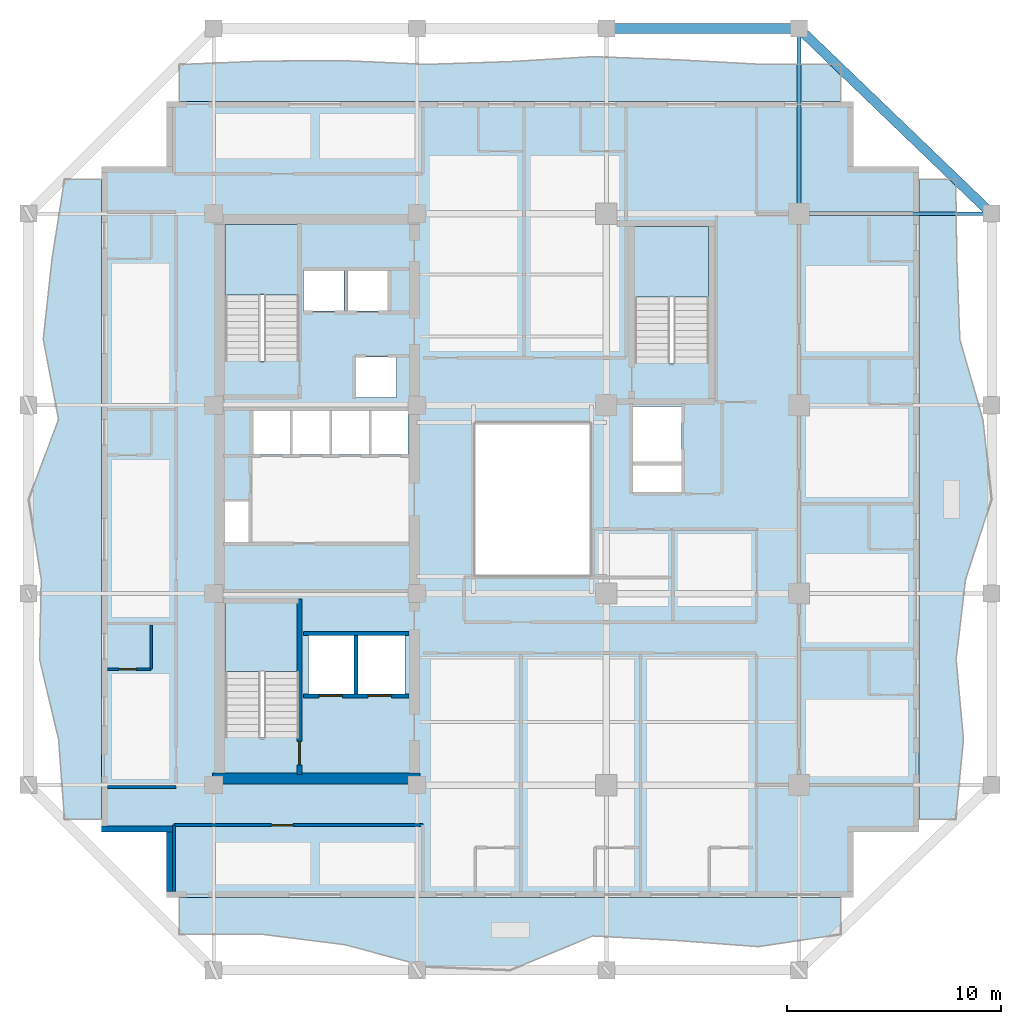
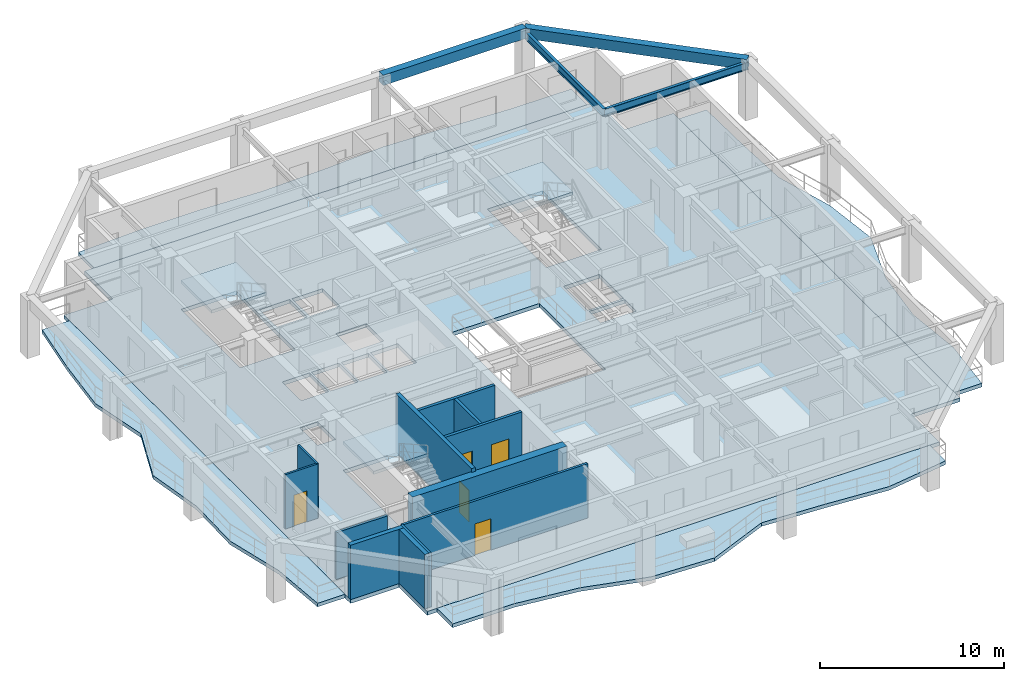
# One storey, part 2 of 11: 12 walls, 8 slabs, 5 doors, 4 beams, 5 openings, 3 elements without a shape of their own.
"""IFC4 building model written with IfcOpenShell, lengths in metres."""

from ifc_helpers import new_model, si_unit, direction, frame, frame_2d, origin, origin_2d, place, context, subcontext, project, spatial, polyline, rectangle, i_section, outline, extrude, material, layer, layer_set, material_profile, profile_set, type_object, element, fill, aggregate, save


model = new_model("IFC4")

# Units and contexts
model_context = context("Model", 3, precision=1e-05, world=origin(), true_north=direction((0.0, 1.0)))
body_context = subcontext(model_context, "Body", "Model", "MODEL_VIEW")
ifc_project = project(units=[si_unit("LENGTHUNIT", "METRE"), si_unit("AREAUNIT", "SQUARE_METRE"), si_unit("VOLUMEUNIT", "CUBIC_METRE"), si_unit("PLANEANGLEUNIT", "RADIAN"), si_unit("MASSUNIT", "GRAM", prefix="KILO")], contexts=[model_context])

# Site, building, storey
site_placement = place(None, origin())
site = spatial("IfcSite", under=ifc_project, at=site_placement, CompositionType="ELEMENT")
building_placement = place(site_placement, origin())
building = spatial("IfcBuilding", under=site, at=building_placement, Name="Kundavana Baori Tower", CompositionType="ELEMENT")
storey_placement = place(building_placement, frame((0.0, 0.0, 127.10009765625)))
storey = spatial("IfcBuildingStorey", under=building, at=storey_placement, Name="L30", CompositionType="ELEMENT", Elevation=127.10009765625)

# Beams
ifc_material_1 = material(Name="Concrete C50/60", Category="concrete")
ifc_material_profile_1 = material_profile(ifc_material_1, rectangle(XDim=0.449951171875, YDim=0.679931640625, at=origin_2d()), Name="RC BM 450x680")
ifc_profile_set_1 = profile_set([ifc_material_profile_1], Name="Concrete C50/60")
beam_type_1 = type_object("IfcBeamType", Name="BM-PF-680", PredefinedType="SPANDREL", material=ifc_profile_set_1)
beam_1_placement = place(storey_placement, frame((33.800048828125, 50.60009765625, 3.510009765625), z_axis=(1.0, 0.0, 0.0), x_axis=(0.0, 1.0, 0.0)))
element("IfcBeam", 1, at=beam_1_placement, inside=storey, type_object=beam_type_1, Name="L30 Perimeter Frame Ring Beam N3", PredefinedType="SPANDREL", context=body_context, shape_type="SweptSolid", body=[
    extrude(rectangle(XDim=0.449951171875, YDim=0.679931640625, at=origin_2d()), origin(), (0.0, 0.0, 1.0), 9.0),
])
beam_2_placement = place(storey_placement, frame((42.800048828125, 50.60009765625, 3.510009765625), z_axis=(0.720981122985, -0.692954702921, 0.0), x_axis=(0.692954702921, 0.720981122985, 0.0)))
element("IfcBeam", 2, at=beam_2_placement, inside=storey, type_object=beam_type_1, Name="L30 Notched Corner Perimeter Beam NE", PredefinedType="SPANDREL", context=body_context, shape_type="SweptSolid", body=[
    extrude(rectangle(XDim=0.449951171875, YDim=0.679931640625, at=origin_2d()), origin(), (0.0, 0.0, 1.0), 12.48291015625),
])
ifc_material_2 = material(Name="Structural Steel S355JR", Category="steel")
ifc_material_profile_2 = material_profile(ifc_material_2, i_section(OverallWidth=0.179931640625, OverallDepth=0.5, WebThickness=0.01025390625, FlangeThickness=0.01708984375, FilletRadius=0.01708984375, at=origin_2d()), Name="ISMB 500")
ifc_profile_set_2 = profile_set([ifc_material_profile_2], Name="Structural Steel S355JR")
beam_type_2 = type_object("IfcBeamType", Name="BM-TIE-500", PredefinedType="BEAM", material=ifc_profile_set_2)
beam_3_placement = place(storey_placement, frame((42.800048828125, 41.949951171875, 3.349853515625), z_axis=(0.0, 1.0, 0.0), x_axis=(-1.0, 0.0, 0.0)))
element("IfcBeam", 3, at=beam_3_placement, inside=storey, type_object=beam_type_2, Name="L30 North Radial Loggia Tie Beam N4", PredefinedType="BEAM", context=body_context, shape_type="SweptSolid", body=[
    extrude(i_section(OverallWidth=0.179931640625, OverallDepth=0.5, WebThickness=0.01025390625, FlangeThickness=0.01708984375, FilletRadius=0.01708984375, at=origin_2d()), origin(), (0.0, 0.0, 1.0), 8.650146484375),
])
beam_4_placement = place(storey_placement, frame((42.800048828125, 41.949951171875, 3.349853515625), z_axis=(1.0, 0.0, 0.0), x_axis=(0.0, 1.0, 0.0)))
element("IfcBeam", 4, at=beam_4_placement, inside=storey, type_object=beam_type_2, Name="L30 East Radial Loggia Tie Beam E4", PredefinedType="BEAM", context=body_context, shape_type="SweptSolid", body=[
    extrude(i_section(OverallWidth=0.179931640625, OverallDepth=0.5, WebThickness=0.01025390625, FlangeThickness=0.01708984375, FilletRadius=0.01708984375, at=origin_2d()), origin(), (0.0, 0.0, 1.0), 9.0),
])

# Slab
ifc_material_3 = material(Name="Concrete C40/50", Category="concrete")
ifc_layer_1 = layer(ifc_material_3, 0.25, Name="SLB-FLR-250")
ifc_layer_set_1 = layer_set([ifc_layer_1], Name="Concrete C40/50")
slab_type_1 = type_object("IfcSlabType", Name="SLB-FLR-250", PredefinedType="FLOOR", material=ifc_layer_set_1)
slab_1_placement = place(storey_placement, frame((0.0, 0.0, -0.25)))
element("IfcSlab", 5, at=slab_1_placement, inside=storey, type_object=slab_type_1, Name="L30 Structural Floor Slab", PredefinedType="FLOOR", context=body_context, shape_type="SweptSolid", body=[
    extrude(outline(polyline([(13.25, 10.0), (45.35009765625, 10.0), (45.35009765625, 13.050048828125), (48.39990234375, 13.050048828125), (48.39990234375, 44.14990234375), (45.35009765625, 44.14990234375), (45.35009765625, 47.199951171875), (13.25, 47.199951171875), (13.25, 44.14990234375), (10.199951171875, 44.14990234375), (10.199951171875, 13.050048828125), (13.25, 13.050048828125), (13.25, 10.0)]), holes=[polyline([(19.43994140625, 17.4619140625), (19.43994140625, 23.85009765625), (15.97998046875, 23.85009765625), (15.97998046875, 17.4619140625), (19.43994140625, 17.4619140625)]), polyline([(19.43994140625, 35.06201171875), (19.43994140625, 41.449951171875), (15.97998046875, 41.449951171875), (15.97998046875, 35.06201171875), (19.43994140625, 35.06201171875)]), polyline([(38.580078125, 34.9619140625), (38.580078125, 41.35009765625), (35.1201171875, 41.35009765625), (35.1201171875, 34.9619140625), (38.580078125, 34.9619140625)]), polyline([(17.300048828125, 30.699951171875), (19.02001953125, 30.699951171875), (19.02001953125, 32.75), (17.300048828125, 32.75), (17.300048828125, 30.699951171875)]), polyline([(19.139892578125, 30.699951171875), (20.860107421875, 30.699951171875), (20.860107421875, 32.75), (19.139892578125, 32.75), (19.139892578125, 30.699951171875)]), polyline([(20.97998046875, 30.699951171875), (22.699951171875, 30.699951171875), (22.699951171875, 32.75), (20.97998046875, 32.75), (20.97998046875, 30.699951171875)]), polyline([(22.820068359375, 30.699951171875), (24.5400390625, 30.699951171875), (24.5400390625, 32.75), (22.820068359375, 32.75), (22.820068359375, 30.699951171875)]), polyline([(19.64990234375, 37.39990234375), (21.550048828125, 37.39990234375), (21.550048828125, 39.300048828125), (19.64990234375, 39.300048828125), (19.64990234375, 37.39990234375)]), polyline([(21.699951171875, 37.39990234375), (23.60009765625, 37.39990234375), (23.60009765625, 39.300048828125), (21.699951171875, 39.300048828125), (21.699951171875, 37.39990234375)]), polyline([(22.10009765625, 33.35009765625), (24.0, 33.35009765625), (24.0, 35.25), (22.10009765625, 35.25), (22.10009765625, 33.35009765625)]), polyline([(19.8798828125, 19.5), (22.02001953125, 19.5), (22.02001953125, 22.25), (19.8798828125, 22.25), (19.8798828125, 19.5)]), polyline([(22.179931640625, 19.5), (24.3798828125, 19.5), (24.3798828125, 22.25), (22.179931640625, 22.25), (22.179931640625, 19.5)]), polyline([(35.050048828125, 30.35009765625), (37.300048828125, 30.35009765625), (37.300048828125, 32.949951171875), (35.050048828125, 32.949951171875), (35.050048828125, 30.35009765625)]), polyline([(15.949951171875, 26.60009765625), (17.080078125, 26.60009765625), (17.080078125, 28.5), (15.949951171875, 28.5), (15.949951171875, 26.60009765625)]), polyline([(35.050048828125, 28.949951171875), (37.300048828125, 28.949951171875), (37.300048828125, 30.199951171875), (35.050048828125, 30.199951171875), (35.050048828125, 28.949951171875)]), polyline([(27.60009765625, 25.0), (33.10009765625, 25.0), (33.10009765625, 32.199951171875), (27.60009765625, 32.199951171875), (27.60009765625, 25.0)])]), origin(), (0.0, 0.0, 1.0), 0.25),
])

# Stair, slab
ifc_material_4 = material(Name="Concrete C40/50", Category="concrete")
stair_type = type_object("IfcStairType", Name="STR-DOG-1650", PredefinedType="HALF_TURN_STAIR", material=ifc_material_4)
stair_1_placement = place(storey_placement, origin())
stair_1 = element("IfcStair", 6, at=stair_1_placement, inside=storey, type_object=stair_type, Name="L30 Protected Exit Stair ST1", PredefinedType="HALF_TURN_STAIR")
ifc_material_5 = material(Name="Concrete C40/50", Category="concrete")
ifc_layer_2 = layer(ifc_material_5, 0.199951171875, Name="SLB-LND-200")
ifc_layer_set_2 = layer_set([ifc_layer_2], Name="Concrete C40/50")
slab_type_2 = type_object("IfcSlabType", Name="SLB-LND-200", PredefinedType="LANDING", material=ifc_layer_set_2)
slab_2_placement = place(storey_placement, frame((0.0, 0.0, 1.724853515625)))
slab_2 = element("IfcSlab", 7, at=slab_2_placement, type_object=slab_type_2, Name="ST1 landing 1", PredefinedType="LANDING", context=body_context, shape_type="SweptSolid", body=[
    extrude(outline(polyline([(19.43994140625, 20.550048828125), (19.43994140625, 23.85009765625), (15.97998046875, 23.85009765625), (15.97998046875, 20.550048828125), (19.43994140625, 20.550048828125)])), origin(), (0.0, 0.0, 1.0), 0.199951171875),
])
aggregate(stair_1, [slab_2])

stair_2_placement = place(storey_placement, origin())
stair_2 = element("IfcStair", 8, at=stair_2_placement, inside=storey, type_object=stair_type, Name="L30 Protected Exit Stair ST2", PredefinedType="HALF_TURN_STAIR")
slab_3_placement = place(storey_placement, frame((0.0, 0.0, 1.724853515625)))
slab_3 = element("IfcSlab", 9, at=slab_3_placement, type_object=slab_type_2, Name="ST2 landing 1", PredefinedType="LANDING", context=body_context, shape_type="SweptSolid", body=[
    extrude(outline(polyline([(19.43994140625, 38.14990234375), (19.43994140625, 41.449951171875), (15.97998046875, 41.449951171875), (15.97998046875, 38.14990234375), (19.43994140625, 38.14990234375)])), origin(), (0.0, 0.0, 1.0), 0.199951171875),
])
aggregate(stair_2, [slab_3])

stair_3_placement = place(storey_placement, origin())
stair_3 = element("IfcStair", 10, at=stair_3_placement, inside=storey, type_object=stair_type, Name="L30 Protected Exit Stair ST3", PredefinedType="HALF_TURN_STAIR")
slab_4_placement = place(storey_placement, frame((0.0, 0.0, 1.724853515625)))
slab_4 = element("IfcSlab", 11, at=slab_4_placement, type_object=slab_type_2, Name="ST3 landing 1", PredefinedType="LANDING", context=body_context, shape_type="SweptSolid", body=[
    extrude(outline(polyline([(38.580078125, 38.050048828125), (38.580078125, 41.35009765625), (35.1201171875, 41.35009765625), (35.1201171875, 38.050048828125), (38.580078125, 38.050048828125)])), origin(), (0.0, 0.0, 1.0), 0.199951171875),
])
aggregate(stair_3, [slab_4])

# Slabs
ifc_material_6 = material(Name="Concrete C40/50", Category="concrete")
ifc_layer_3 = layer(ifc_material_6, 0.239990234375, Name="SLB-LOG-240")
ifc_layer_set_3 = layer_set([ifc_layer_3], Name="Concrete C40/50")
slab_type_3 = type_object("IfcSlabType", Name="SLB-LOG-240", PredefinedType="FLOOR", material=ifc_layer_set_3)
slab_5_placement = place(storey_placement, frame((0.0, 0.0, -0.239990234375)))
element("IfcSlab", 12, at=slab_5_placement, inside=storey, type_object=slab_type_3, Name="L30 Planted Loggia Balcony Slab S", PredefinedType="FLOOR", context=body_context, shape_type="SweptSolid", body=[
    extrude(outline(polyline([(13.85009765625, 10.0), (44.75, 10.0), (44.75, 8.280029296875), (40.886962890625, 7.699951171875), (37.02490234375, 7.993896484375), (33.1630859375, 8.200927734375), (29.300048828125, 6.60009765625), (25.43798828125, 6.757080078125), (21.574951171875, 7.7939453125), (17.7119140625, 8.279052734375), (13.85009765625, 8.280029296875), (13.85009765625, 10.0)])), origin(), (0.0, 0.0, 1.0), 0.239990234375),
])
slab_6_placement = place(storey_placement, frame((0.0, 0.0, -0.239990234375)))
element("IfcSlab", 13, at=slab_6_placement, inside=storey, type_object=slab_type_3, Name="L30 Planted Loggia Balcony Slab E", PredefinedType="FLOOR", context=body_context, shape_type="SweptSolid", body=[
    extrude(outline(polyline([(48.39990234375, 13.64990234375), (48.39990234375, 43.550048828125), (50.1201171875, 43.550048828125), (50.176025390625, 39.81201171875), (50.31494140625, 36.074951171875), (51.39306640625, 32.3369140625), (51.800048828125, 28.60009765625), (50.58203125, 24.862060546875), (50.14306640625, 21.125), (50.486083984375, 17.386962890625), (50.1201171875, 13.64990234375), (48.39990234375, 13.64990234375)])), origin(), (0.0, 0.0, 1.0), 0.239990234375),
])
slab_7_placement = place(storey_placement, frame((0.0, 0.0, -0.239990234375)))
element("IfcSlab", 14, at=slab_7_placement, inside=storey, type_object=slab_type_3, Name="L30 Planted Loggia Balcony Slab N", PredefinedType="FLOOR", context=body_context, shape_type="SweptSolid", body=[
    extrude(outline(polyline([(44.75, 47.199951171875), (13.85009765625, 47.199951171875), (13.85009765625, 48.919921875), (17.7119140625, 49.080078125), (21.574951171875, 49.094970703125), (25.43798828125, 48.927001953125), (29.300048828125, 49.054931640625), (33.1630859375, 49.2880859375), (37.02490234375, 49.14599609375), (40.886962890625, 48.93603515625), (44.75, 48.919921875), (44.75, 47.199951171875)])), origin(), (0.0, 0.0, 1.0), 0.239990234375),
])
slab_8_placement = place(storey_placement, frame((0.0, 0.0, -0.239990234375)))
element("IfcSlab", 15, at=slab_8_placement, inside=storey, type_object=slab_type_3, Name="L30 Planted Loggia Balcony Slab W", PredefinedType="FLOOR", context=body_context, shape_type="SweptSolid", body=[
    extrude(outline(polyline([(10.199951171875, 43.550048828125), (10.199951171875, 13.64990234375), (8.47998046875, 13.64990234375), (8.202880859375, 17.386962890625), (7.31494140625, 21.125), (7.389892578125, 24.862060546875), (6.800048828125, 28.60009765625), (8.200927734375, 32.3369140625), (7.487060546875, 36.074951171875), (7.89306640625, 39.81201171875), (8.47998046875, 43.550048828125), (10.199951171875, 43.550048828125)])), origin(), (0.0, 0.0, 1.0), 0.239990234375),
])

# Wall, opening, door
ifc_material_7 = material(Name="Concrete C50/60", Category="concrete")
ifc_layer_4 = layer(ifc_material_7, 0.39990234375, Name="WL-CORE-400")
ifc_layer_set_4 = layer_set([ifc_layer_4], Name="Concrete C50/60")
wall_type_1 = type_object("IfcWallType", Name="WL-CORE-400", PredefinedType="SHEAR", material=ifc_layer_set_4)
wall_1_placement = place(storey_placement, frame((19.4599609375, 15.739990234375, 0.0), z_axis=(0.0, 0.0, 1.0), x_axis=(0.0, 1.0, 0.0)))
wall_1 = element("IfcWall", 16, at=wall_1_placement, inside=storey, type_object=wall_type_1, Name="WL-L30-ST1-E", PredefinedType="SHEAR", context=body_context, shape_type="SweptSolid", body=[
    extrude(rectangle(XDim=8.199951171875, YDim=0.239990234375, at=frame_2d((4.10009765625, 0.0))), origin(), (0.0, 0.0, 1.0), 3.849853515625),
])
opening_1_placement = place(wall_1_placement, frame((0.449951171875, 0.0, 0.0)))
opening_1 = element("IfcOpeningElement", 17, at=opening_1_placement, cuts=wall_1, Name="Opening FD-110", PredefinedType="OPENING", context=body_context, shape_type="SweptSolid", body=[
    extrude(rectangle(XDim=1.10009765625, YDim=2.10009765625, at=frame_2d((0.550048828125, 1.050048828125))), frame((0.0, 0.1298828125, 0.0), z_axis=(0.0, -1.0, 0.0), x_axis=(1.0, 0.0, 0.0)), (0.0, 0.0, 1.0), 0.260009765625),
])
ifc_material_8 = material(Name="Galvanised Steel Fire-Rated Door Leaf", Category="steel")
door_type_1 = type_object("IfcDoorType", Name="DR-FD120-1100", OperationType="NOTDEFINED", PredefinedType="DOOR", material=ifc_material_8)
door_1_placement = place(opening_1_placement, origin())
door_1 = element("IfcDoor", 18, at=door_1_placement, inside=storey, type_object=door_type_1, Name="DR-L30-ST1", OperationType="SINGLE_SWING_LEFT", OverallHeight=2.10009765625, OverallWidth=1.10009765625, PredefinedType="DOOR", context=body_context, shape_type="SweptSolid", body=[
    extrude(rectangle(XDim=1.10009765625, YDim=2.10009765625, at=frame_2d((0.550048828125, 1.050048828125))), frame((0.0, 0.02490234375, 0.0), z_axis=(0.0, -1.0, 0.0), x_axis=(1.0, 0.0, 0.0)), (0.0, 0.0, 1.0), 0.050048828125),
])
fill(opening_1, door_1)

# Walls
ifc_material_9 = material(Name="Concrete C50/60", Category="concrete")
ifc_layer_5 = layer(ifc_material_9, 0.5, Name="WL-CORE-500")
ifc_layer_set_5 = layer_set([ifc_layer_5], Name="Concrete C50/60")
wall_type_2 = type_object("IfcWallType", Name="WL-CORE-500", PredefinedType="SHEAR", material=ifc_layer_set_5)
wall_2_placement = place(storey_placement, frame((15.39990234375, 15.56005859375, 0.0), z_axis=(0.0, 0.0, 1.0), x_axis=(1.0, 0.0, 0.0)))
element("IfcWall", 19, at=wall_2_placement, inside=storey, type_object=wall_type_2, Name="L30 Offset Core South Shear Wall", PredefinedType="SHEAR", context=body_context, shape_type="SweptSolid", body=[
    extrude(rectangle(XDim=9.68017578125, YDim=0.5, at=frame_2d((4.840087890625, 0.0))), origin(), (0.0, 0.0, 1.0), 3.599853515625),
])
ifc_material_10 = material(Name="Red-Buff Dholpur Sandstone Cladding on Concrete C40/50", Category="masonry")
ifc_layer_6 = layer(ifc_material_10, 0.280029296875, Name="WL-EXT-SAND-280")
ifc_layer_set_6 = layer_set([ifc_layer_6], Name="Red-Buff Dholpur Sandstone Cladding on Concrete C40/50")
wall_type_3 = type_object("IfcWallType", Name="WL-EXT-SAND-280", PredefinedType="STANDARD", material=ifc_layer_set_6)
wall_3_placement = place(storey_placement, frame((10.199951171875, 13.18994140625, 0.0), z_axis=(0.0, 0.0, 1.0), x_axis=(1.0, 0.0, 0.0)))
element("IfcWall", 20, at=wall_3_placement, inside=storey, type_object=wall_type_3, Name="L30 Exterior Insulated Facade Wall 11", PredefinedType="STANDARD", context=body_context, shape_type="SweptSolid", body=[
    extrude(rectangle(XDim=3.330078125, YDim=0.280029296875, at=frame_2d((1.6650390625, 0.0))), origin(), (0.0, 0.0, 1.0), 3.599853515625),
])
wall_4_placement = place(storey_placement, frame((13.389892578125, 13.050048828125, 0.0), z_axis=(0.0, 0.0, 1.0), x_axis=(0.0, -1.0, 0.0)))
element("IfcWall", 21, at=wall_4_placement, inside=storey, type_object=wall_type_3, Name="L30 Exterior Insulated Facade Wall 12", PredefinedType="STANDARD", context=body_context, shape_type="SweptSolid", body=[
    extrude(rectangle(XDim=2.77001953125, YDim=0.280029296875, at=frame_2d((1.385009765625, 0.0))), origin(), (0.0, 0.0, 1.0), 3.599853515625),
])
ifc_material_11 = material(Name="Fire-Rated Gypsum Drywall on Galvanised Steel Studs", Category="steel")
ifc_layer_7 = layer(ifc_material_11, 0.14990234375, Name="WL-PART-150")
ifc_layer_set_7 = layer_set([ifc_layer_7], Name="Fire-Rated Gypsum Drywall on Galvanised Steel Studs")
wall_type_4 = type_object("IfcWallType", Name="WL-PART-150", PredefinedType="PARTITIONING", material=ifc_layer_set_7)
wall_5_placement = place(storey_placement, frame((10.47998046875, 15.159912109375, 0.0), z_axis=(0.0, 0.0, 1.0), x_axis=(1.0, 0.0, 0.0)))
element("IfcWall", 22, at=wall_5_placement, inside=storey, type_object=wall_type_4, Name="WL-L30-HWS", PredefinedType="PARTITIONING", context=body_context, shape_type="SweptSolid", body=[
    extrude(rectangle(XDim=3.219970703125, YDim=0.14990234375, at=frame_2d((1.60986328125, 0.0))), origin(), (0.0, 0.0, 1.0), 3.099853515625),
])

# Wall, opening, door
wall_6_placement = place(storey_placement, frame((13.590087890625, 13.3798828125, 0.0), z_axis=(0.0, 0.0, 1.0), x_axis=(1.0, 0.0, 0.0)))
wall_6 = element("IfcWall", 23, at=wall_6_placement, inside=storey, type_object=wall_type_4, Name="WL-L30-HSC", PredefinedType="PARTITIONING", context=body_context, shape_type="SweptSolid", body=[
    extrude(rectangle(XDim=11.6298828125, YDim=0.14990234375, at=frame_2d((5.81494140625, 0.0))), origin(), (0.0, 0.0, 1.0), 3.599853515625),
])
opening_2_placement = place(wall_6_placement, frame((4.56005859375, 0.0, 0.0)))
opening_2 = element("IfcOpeningElement", 24, at=opening_2_placement, cuts=wall_6, Name="Opening ID-100", PredefinedType="OPENING", context=body_context, shape_type="SweptSolid", body=[
    extrude(rectangle(XDim=1.0, YDim=2.080078125, at=frame_2d((0.5, 1.0400390625))), frame((0.0, 0.0849609375, 0.0), z_axis=(0.0, -1.0, 0.0), x_axis=(1.0, 0.0, 0.0)), (0.0, 0.0, 1.0), 0.169921875),
])
ifc_material_12 = material(Name="Engineered Teak Solid-Core Timber Veneer", Category="wood")
door_type_2 = type_object("IfcDoorType", Name="DR-INT-1000", OperationType="NOTDEFINED", PredefinedType="DOOR", material=ifc_material_12)
door_2_placement = place(opening_2_placement, frame((1.0, 0.0, 0.0), z_axis=(0.0, 0.0, 1.0), x_axis=(-1.0, 0.0, 0.0)))
door_2 = element("IfcDoor", 25, at=door_2_placement, inside=storey, type_object=door_type_2, Name="DR-L30-HMSW", OperationType="SINGLE_SWING_LEFT", OverallHeight=2.080078125, OverallWidth=1.0, PredefinedType="DOOR", context=body_context, shape_type="SweptSolid", body=[
    extrude(rectangle(XDim=1.0, YDim=2.080078125, at=frame_2d((0.5, 1.0400390625))), frame((0.0, 0.02490234375, 0.0), z_axis=(0.0, -1.0, 0.0), x_axis=(1.0, 0.0, 0.0)), (0.0, 0.0, 1.0), 0.050048828125),
])
fill(opening_2, door_2)

# Wall
wall_7_placement = place(storey_placement, frame((13.590087890625, 10.280029296875, 0.0), z_axis=(0.0, 0.0, 1.0), x_axis=(0.0, 1.0, 0.0)))
element("IfcWall", 26, at=wall_7_placement, inside=storey, type_object=wall_type_4, Name="WL-L30-HSCW", PredefinedType="PARTITIONING", context=body_context, shape_type="SweptSolid", body=[
    extrude(rectangle(XDim=3.099853515625, YDim=0.14990234375, at=frame_2d((1.5498046875, 0.0))), origin(), (0.0, 0.0, 1.0), 3.599853515625),
])

# Wall, openings, doors
ifc_material_13 = material(Name="Autoclaved Aerated Concrete Blockwork Masonry", Category="masonry")
ifc_layer_8 = layer(ifc_material_13, 0.179931640625, Name="WL-SHAFT-180")
ifc_layer_set_8 = layer_set([ifc_layer_8], Name="Autoclaved Aerated Concrete Blockwork Masonry")
wall_type_5 = type_object("IfcWallType", Name="WL-SHAFT-180", PredefinedType="SOLIDWALL", material=ifc_layer_set_8)
wall_8_placement = place(storey_placement, frame((19.639892578125, 19.419921875, 0.0), z_axis=(0.0, 0.0, 1.0), x_axis=(1.0, 0.0, 0.0)))
wall_8 = element("IfcWall", 27, at=wall_8_placement, inside=storey, type_object=wall_type_5, Name="WL-L30-FFL-S", PredefinedType="SOLIDWALL", context=body_context, shape_type="SweptSolid", body=[
    extrude(rectangle(XDim=4.940185546875, YDim=0.179931640625, at=frame_2d((2.47021484375, 0.0))), origin(), (0.0, 0.0, 1.0), 3.599853515625),
])
opening_3_placement = place(wall_8_placement, frame((0.719970703125, 0.0, 0.0)))
opening_3 = element("IfcOpeningElement", 28, at=opening_3_placement, cuts=wall_8, Name="Opening LD-110", PredefinedType="OPENING", context=body_context, shape_type="SweptSolid", body=[
    extrude(rectangle(XDim=1.10009765625, YDim=2.10009765625, at=frame_2d((0.550048828125, 1.050048828125))), frame((0.0, 0.10009765625, 0.0), z_axis=(0.0, -1.0, 0.0), x_axis=(1.0, 0.0, 0.0)), (0.0, 0.0, 1.0), 0.199951171875),
])
opening_4_placement = place(wall_8_placement, frame((3.02001953125, 0.0, 0.0)))
opening_4 = element("IfcOpeningElement", 29, at=opening_4_placement, cuts=wall_8, Name="Opening LD-110", PredefinedType="OPENING", context=body_context, shape_type="SweptSolid", body=[
    extrude(rectangle(XDim=1.10009765625, YDim=2.10009765625, at=frame_2d((0.550048828125, 1.050048828125))), frame((0.0, 0.10009765625, 0.0), z_axis=(0.0, -1.0, 0.0), x_axis=(1.0, 0.0, 0.0)), (0.0, 0.0, 1.0), 0.199951171875),
])
ifc_material_14 = material(Name="Galvanised Steel Fire-Rated Door Leaf", Category="steel")
door_type_3 = type_object("IfcDoorType", Name="DR-SLIDE-LD1100", OperationType="NOTDEFINED", PredefinedType="DOOR", material=ifc_material_14)
door_3_placement = place(opening_3_placement, origin())
door_3 = element("IfcDoor", 30, at=door_3_placement, inside=storey, type_object=door_type_3, Name="DR-L30-LD-FFL-1", OperationType="DOUBLE_DOOR_SLIDING", OverallHeight=2.10009765625, OverallWidth=1.10009765625, PredefinedType="DOOR", context=body_context, shape_type="SweptSolid", body=[
    extrude(rectangle(XDim=1.10009765625, YDim=2.10009765625, at=frame_2d((0.550048828125, 1.050048828125))), frame((0.0, 0.02490234375, 0.0), z_axis=(0.0, -1.0, 0.0), x_axis=(1.0, 0.0, 0.0)), (0.0, 0.0, 1.0), 0.050048828125),
])
fill(opening_3, door_3)
door_4_placement = place(opening_4_placement, origin())
door_4 = element("IfcDoor", 31, at=door_4_placement, inside=storey, type_object=door_type_3, Name="DR-L30-LD-FFL-2", OperationType="DOUBLE_DOOR_SLIDING", OverallHeight=2.10009765625, OverallWidth=1.10009765625, PredefinedType="DOOR", context=body_context, shape_type="SweptSolid", body=[
    extrude(rectangle(XDim=1.10009765625, YDim=2.10009765625, at=frame_2d((0.550048828125, 1.050048828125))), frame((0.0, 0.02490234375, 0.0), z_axis=(0.0, -1.0, 0.0), x_axis=(1.0, 0.0, 0.0)), (0.0, 0.0, 1.0), 0.050048828125),
])
fill(opening_4, door_4)

# Walls
wall_9_placement = place(storey_placement, frame((22.10009765625, 19.510009765625, 0.0), z_axis=(0.0, 0.0, 1.0), x_axis=(0.0, 1.0, 0.0)))
element("IfcWall", 32, at=wall_9_placement, inside=storey, type_object=wall_type_5, Name="WL-L30-FFL-MID", PredefinedType="SOLIDWALL", context=body_context, shape_type="SweptSolid", body=[
    extrude(rectangle(XDim=2.739990234375, YDim=0.179931640625, at=frame_2d((1.3701171875, 0.0))), origin(), (0.0, 0.0, 1.0), 3.599853515625),
])
wall_10_placement = place(storey_placement, frame((19.639892578125, 22.340087890625, 0.0), z_axis=(0.0, 0.0, 1.0), x_axis=(1.0, 0.0, 0.0)))
element("IfcWall", 33, at=wall_10_placement, inside=storey, type_object=wall_type_5, Name="WL-L30-FFL-N", PredefinedType="SOLIDWALL", context=body_context, shape_type="SweptSolid", body=[
    extrude(rectangle(XDim=4.940185546875, YDim=0.179931640625, at=frame_2d((2.47021484375, 0.0))), origin(), (0.0, 0.0, 1.0), 3.599853515625),
])
ifc_material_15 = material(Name="Autoclaved Aerated Concrete Blockwork Masonry", Category="masonry")
ifc_layer_9 = layer(ifc_material_15, 0.125, Name="WL-WET-120")
ifc_layer_set_9 = layer_set([ifc_layer_9], Name="Autoclaved Aerated Concrete Blockwork Masonry")
wall_type_6 = type_object("IfcWallType", Name="WL-WET-120", PredefinedType="PLUMBINGWALL", material=ifc_layer_set_9)
wall_11_placement = place(storey_placement, frame((12.530029296875, 20.669921875, 0.0), z_axis=(0.0, 0.0, 1.0), x_axis=(0.0, 1.0, 0.0)))
element("IfcWall", 34, at=wall_11_placement, inside=storey, type_object=wall_type_6, Name="WL-L30-HK-W1-BE", PredefinedType="PLUMBINGWALL", context=body_context, shape_type="SweptSolid", body=[
    extrude(rectangle(XDim=2.050048828125, YDim=0.125, at=frame_2d((1.02490234375, 0.0))), origin(), (0.0, 0.0, 1.0), 3.599853515625),
])

# Wall, opening, door
wall_12_placement = place(storey_placement, frame((10.47998046875, 20.669921875, 0.0), z_axis=(0.0, 0.0, 1.0), x_axis=(1.0, 0.0, 0.0)))
wall_12 = element("IfcWall", 35, at=wall_12_placement, inside=storey, type_object=wall_type_6, Name="WL-L30-HK-W1-BS", PredefinedType="PLUMBINGWALL", context=body_context, shape_type="SweptSolid", body=[
    extrude(rectangle(XDim=2.050048828125, YDim=0.125, at=frame_2d((1.02490234375, 0.0))), origin(), (0.0, 0.0, 1.0), 3.599853515625),
])
opening_5_placement = place(wall_12_placement, frame((0.550048828125, 0.0, 0.0)))
opening_5 = element("IfcOpeningElement", 36, at=opening_5_placement, cuts=wall_12, Name="Opening WD-080", PredefinedType="OPENING", context=body_context, shape_type="SweptSolid", body=[
    extrude(rectangle(XDim=0.800048828125, YDim=2.050048828125, at=frame_2d((0.39990234375, 1.02490234375))), frame((0.0, 0.072509765625, 0.0), z_axis=(0.0, -1.0, 0.0), x_axis=(1.0, 0.0, 0.0)), (0.0, 0.0, 1.0), 0.14501953125),
])
ifc_material_16 = material(Name="Engineered Teak Solid-Core Timber Veneer", Category="wood")
door_type_4 = type_object("IfcDoorType", Name="DR-WET-800", OperationType="NOTDEFINED", PredefinedType="DOOR", material=ifc_material_16)
door_5_placement = place(opening_5_placement, frame((0.800048828125, 0.0, 0.0), z_axis=(0.0, 0.0, 1.0), x_axis=(-1.0, 0.0, 0.0)))
door_5 = element("IfcDoor", 37, at=door_5_placement, inside=storey, type_object=door_type_4, Name="DR-L30-HK-W1-ENS", OperationType="SINGLE_SWING_LEFT", OverallHeight=2.050048828125, OverallWidth=0.800048828125, PredefinedType="DOOR", context=body_context, shape_type="SweptSolid", body=[
    extrude(rectangle(XDim=0.800048828125, YDim=2.050048828125, at=frame_2d((0.39990234375, 1.02490234375))), frame((0.0, 0.02490234375, 0.0), z_axis=(0.0, -1.0, 0.0), x_axis=(1.0, 0.0, 0.0)), (0.0, 0.0, 1.0), 0.050048828125),
])
fill(opening_5, door_5)

save(model, "model.ifc")
